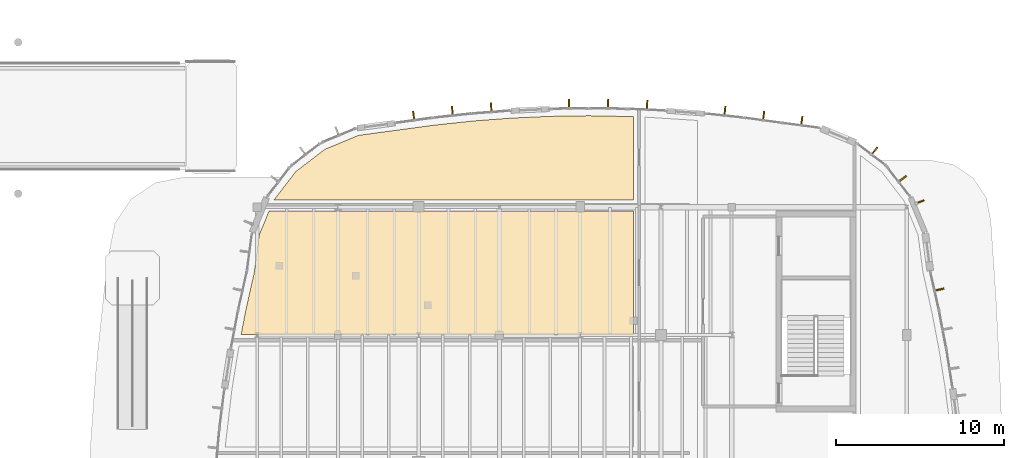
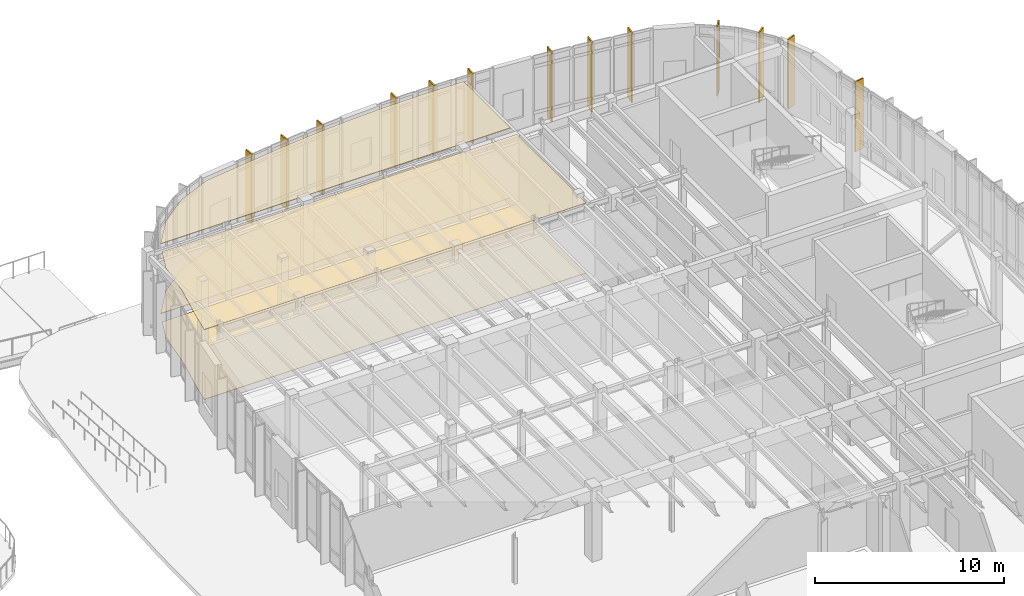
# One storey, part 118 of 120: 17 coverings, 1 shading device.
"""IFC4 building model written with IfcOpenShell, lengths in metres."""

from ifc_helpers import new_model, si_unit, direction, frame, origin, origin_2d, place, context, subcontext, project, spatial, polyline, rectangle, outline, extrude, material, layer, layer_set, type_object, element, save


model = new_model("IFC4")

# Units and contexts
model_context = context("Model", 3, precision=1e-05, world=origin(), true_north=direction((0.0, 1.0)))
body_context = subcontext(model_context, "Body", "Model", "MODEL_VIEW")
ifc_project = project(units=[si_unit("LENGTHUNIT", "METRE"), si_unit("AREAUNIT", "SQUARE_METRE"), si_unit("VOLUMEUNIT", "CUBIC_METRE"), si_unit("PLANEANGLEUNIT", "RADIAN"), si_unit("MASSUNIT", "GRAM", prefix="KILO")], contexts=[model_context])

# Site, building, storey
site_placement = place(None, origin())
site = spatial("IfcSite", under=ifc_project, at=site_placement, CompositionType="ELEMENT")
building_placement = place(site_placement, origin())
building = spatial("IfcBuilding", under=site, at=building_placement, Name="Corveleigh Park Community Centre", CompositionType="ELEMENT")
storey_placement = place(building_placement, origin())
storey = spatial("IfcBuildingStorey", under=building, at=storey_placement, Name="L00", CompositionType="ELEMENT", Elevation=0.0)

# Coverings
ifc_material_1 = material(Name="Warm buff ribbed architectural cladding", Category="masonry")
ifc_layer_1 = layer(ifc_material_1, 0.0849609375, Name="Warm buff ribbed architectural cladding", Category="masonry")
ifc_layer_set_1 = layer_set([ifc_layer_1], Name="Warm buff ribbed architectural cladding")
covering_type_1 = type_object("IfcCoveringType", Name="COV-CLD-BUF", PredefinedType="CLADDING", material=ifc_layer_set_1)
covering_1_placement = place(storey_placement, origin())
element("IfcCovering", 1, at=covering_1_placement, inside=storey, type_object=covering_type_1, Name="V4 L00 Brise-soleil blade 124", PredefinedType="CLADDING", context=body_context, shape_type="SweptSolid", body=[
    extrude(outline(polyline([(170.031005859375, 99.279052734375), (170.049072265625, 99.196044921875), (170.614990234375, 99.322998046875), (170.596923828125, 99.406005859375), (170.031005859375, 99.279052734375)])), origin(), (0.0, 0.0, 1.0), 4.511962890625),
])
covering_2_placement = place(storey_placement, origin())
element("IfcCovering", 2, at=covering_2_placement, inside=storey, type_object=covering_type_1, Name="V4 L00 Brise-soleil blade 125", PredefinedType="CLADDING", context=body_context, shape_type="SweptSolid", body=[
    extrude(outline(polyline([(168.9140625, 104.445068359375), (168.946044921875, 104.366943359375), (169.44091796875, 104.572021484375), (169.407958984375, 104.64990234375), (168.9140625, 104.445068359375)])), origin(), (0.0, 0.0, 1.0), 4.511962890625),
])
covering_3_placement = place(storey_placement, origin())
element("IfcCovering", 3, at=covering_3_placement, inside=storey, type_object=covering_type_1, Name="V4 L00 Brise-soleil blade 126", PredefinedType="CLADDING", context=body_context, shape_type="SweptSolid", body=[
    extrude(outline(polyline([(167.8798828125, 105.73291015625), (167.931884765625, 105.666015625), (168.39208984375, 106.01904296875), (168.340087890625, 106.0859375), (167.8798828125, 105.73291015625)])), origin(), (0.0, 0.0, 1.0), 4.511962890625),
])
covering_4_placement = place(storey_placement, origin())
element("IfcCovering", 4, at=covering_4_placement, inside=storey, type_object=covering_type_1, Name="V4 L00 Brise-soleil blade 127", PredefinedType="CLADDING", context=body_context, shape_type="SweptSolid", body=[
    extrude(outline(polyline([(166.26611328125, 107.33203125), (166.3330078125, 107.280029296875), (166.68603515625, 107.739990234375), (166.618896484375, 107.7919921875), (166.26611328125, 107.33203125)])), origin(), (0.0, 0.0, 1.0), 4.511962890625),
])
covering_5_placement = place(storey_placement, origin())
element("IfcCovering", 5, at=covering_5_placement, inside=storey, type_object=covering_type_1, Name="V4 L00 Brise-soleil blade 128", PredefinedType="CLADDING", context=body_context, shape_type="SweptSolid", body=[
    extrude(outline(polyline([(162.08203125, 109.037109375), (162.166015625, 109.02587890625), (162.241943359375, 109.60107421875), (162.157958984375, 109.612060546875), (162.08203125, 109.037109375)])), origin(), (0.0, 0.0, 1.0), 4.511962890625),
])
covering_6_placement = place(storey_placement, origin())
element("IfcCovering", 6, at=covering_6_placement, inside=storey, type_object=covering_type_1, Name="V4 L00 Brise-soleil blade 129", PredefinedType="CLADDING", context=body_context, shape_type="SweptSolid", body=[
    extrude(outline(polyline([(159.81298828125, 109.343017578125), (159.89697265625, 109.33203125), (159.97607421875, 109.906982421875), (159.89208984375, 109.91796875), (159.81298828125, 109.343017578125)])), origin(), (0.0, 0.0, 1.0), 4.511962890625),
])
covering_7_placement = place(storey_placement, origin())
element("IfcCovering", 7, at=covering_7_placement, inside=storey, type_object=covering_type_1, Name="V4 L00 Brise-soleil blade 130", PredefinedType="CLADDING", context=body_context, shape_type="SweptSolid", body=[
    extrude(outline(polyline([(157.52099609375, 109.6220703125), (157.60498046875, 109.613037109375), (157.6669921875, 110.18994140625), (157.58203125, 110.198974609375), (157.52099609375, 109.6220703125)])), origin(), (0.0, 0.0, 1.0), 4.511962890625),
])
covering_8_placement = place(storey_placement, origin())
element("IfcCovering", 8, at=covering_8_placement, inside=storey, type_object=covering_type_1, Name="V4 L00 Brise-soleil blade 131", PredefinedType="CLADDING", context=body_context, shape_type="SweptSolid", body=[
    extrude(outline(polyline([(152.9189453125, 109.968994140625), (153.00390625, 109.966064453125), (153.030029296875, 110.544921875), (152.945068359375, 110.549072265625), (152.9189453125, 109.968994140625)])), origin(), (0.0, 0.0, 1.0), 4.511962890625),
])
covering_9_placement = place(storey_placement, origin())
element("IfcCovering", 9, at=covering_9_placement, inside=storey, type_object=covering_type_1, Name="V4 L00 Brise-soleil blade 132", PredefinedType="CLADDING", context=body_context, shape_type="SweptSolid", body=[
    extrude(outline(polyline([(150.612060546875, 110.0390625), (150.697021484375, 110.037109375), (150.7060546875, 110.616943359375), (150.62109375, 110.618896484375), (150.612060546875, 110.0390625)])), origin(), (0.0, 0.0, 1.0), 4.511962890625),
])
covering_10_placement = place(storey_placement, origin())
element("IfcCovering", 10, at=covering_10_placement, inside=storey, type_object=covering_type_1, Name="V4 L00 Brise-soleil blade 133", PredefinedType="CLADDING", context=body_context, shape_type="SweptSolid", body=[
    extrude(outline(polyline([(148.302978515625, 110.037109375), (148.387939453125, 110.0390625), (148.37890625, 110.618896484375), (148.2939453125, 110.616943359375), (148.302978515625, 110.037109375)])), origin(), (0.0, 0.0, 1.0), 4.511962890625),
])
covering_11_placement = place(storey_placement, origin())
element("IfcCovering", 11, at=covering_11_placement, inside=storey, type_object=covering_type_1, Name="V4 L00 Brise-soleil blade 134", PredefinedType="CLADDING", context=body_context, shape_type="SweptSolid", body=[
    extrude(outline(polyline([(143.693115234375, 109.823974609375), (143.778076171875, 109.8310546875), (143.73388671875, 110.408935546875), (143.64892578125, 110.403076171875), (143.693115234375, 109.823974609375)])), origin(), (0.0, 0.0, 1.0), 4.511962890625),
])
covering_12_placement = place(storey_placement, origin())
element("IfcCovering", 12, at=covering_12_placement, inside=storey, type_object=covering_type_1, Name="V4 L00 Brise-soleil blade 135", PredefinedType="CLADDING", context=body_context, shape_type="SweptSolid", body=[
    extrude(outline(polyline([(141.39501953125, 109.613037109375), (141.47900390625, 109.6220703125), (141.41796875, 110.198974609375), (141.3330078125, 110.18994140625), (141.39501953125, 109.613037109375)])), origin(), (0.0, 0.0, 1.0), 4.511962890625),
])
covering_13_placement = place(storey_placement, origin())
element("IfcCovering", 13, at=covering_13_placement, inside=storey, type_object=covering_type_1, Name="V4 L00 Brise-soleil blade 136", PredefinedType="CLADDING", context=body_context, shape_type="SweptSolid", body=[
    extrude(outline(polyline([(139.10302734375, 109.33203125), (139.18701171875, 109.343017578125), (139.10791015625, 109.91796875), (139.02392578125, 109.906982421875), (139.10302734375, 109.33203125)])), origin(), (0.0, 0.0, 1.0), 4.537109375),
])
ifc_material_2 = material(Name="Perforated acoustic suspended ceiling", Category="gypsum")
ifc_layer_2 = layer(ifc_material_2, 0.0400390625, Name="Perforated acoustic suspended ceiling", Category="gypsum")
ifc_layer_set_2 = layer_set([ifc_layer_2], Name="Perforated acoustic suspended ceiling")
covering_type_2 = type_object("IfcCoveringType", Name="COV-CLG-ACU", PredefinedType="CEILING", material=ifc_layer_set_2)
covering_14_placement = place(storey_placement, frame((0.0, 0.0, 4.4951171875)))
element("IfcCovering", 14, at=covering_14_placement, inside=storey, type_object=covering_type_2, Name="Centre Management Reception acoustic ceiling", PredefinedType="CEILING", context=body_context, shape_type="SweptSolid", body=[
    extrude(outline(polyline([(129.62890625, 100.303955078125), (129.928955078125, 102.56298828125), (130.507080078125, 103.9599609375), (152.159912109375, 103.9599609375), (152.159912109375, 96.639892578125), (128.85302734375, 96.639892578125), (129.113037109375, 98.0), (129.62890625, 100.303955078125)])), origin(), (0.0, 0.0, 1.0), 0.039794921875),
])
covering_15_placement = place(storey_placement, frame((0.0, 0.0, 4.4951171875)))
element("IfcCovering", 15, at=covering_15_placement, inside=storey, type_object=covering_type_2, Name="Accessible and Public Toilets L00 acoustic ceiling", PredefinedType="CEILING", context=body_context, shape_type="SweptSolid", body=[
    extrude(outline(polyline([(149.5, 109.635986328125), (152.159912109375, 109.583984375), (152.159912109375, 104.639892578125), (130.81103515625, 104.639892578125), (132.091064453125, 106.30908203125), (133.822021484375, 107.636962890625), (135.8369140625, 108.470947265625), (140.340087890625, 109.077880859375), (142.623046875, 109.322021484375), (144.912109375, 109.49609375), (147.2041015625, 109.60009765625), (149.5, 109.635986328125)])), origin(), (0.0, 0.0, 1.0), 0.039794921875),
])
ifc_material_3 = material(Name="Acoustic linoleum flooring", Category="wood")
ifc_layer_3 = layer(ifc_material_3, 0.02490234375, Name="Acoustic linoleum flooring", Category="wood")
ifc_layer_set_3 = layer_set([ifc_layer_3], Name="Acoustic linoleum flooring")
covering_type_3 = type_object("IfcCoveringType", Name="COV-FLR-LIN", PredefinedType="FLOORING", material=ifc_layer_set_3)
covering_16_placement = place(storey_placement, origin())
element("IfcCovering", 16, at=covering_16_placement, inside=storey, type_object=covering_type_3, Name="Centre Management Reception flooring", PredefinedType="FLOORING", context=body_context, shape_type="SweptSolid", body=[
    extrude(outline(polyline([(129.62890625, 100.303955078125), (129.928955078125, 102.56298828125), (130.507080078125, 103.9599609375), (152.159912109375, 103.9599609375), (152.159912109375, 96.639892578125), (128.85302734375, 96.639892578125), (129.113037109375, 98.0), (129.62890625, 100.303955078125)])), origin(), (0.0, 0.0, 1.0), 0.02490234375),
])
covering_17_placement = place(storey_placement, origin())
element("IfcCovering", 17, at=covering_17_placement, inside=storey, type_object=covering_type_3, Name="Accessible and Public Toilets L00 flooring", PredefinedType="FLOORING", context=body_context, shape_type="SweptSolid", body=[
    extrude(outline(polyline([(149.5, 109.635986328125), (152.159912109375, 109.583984375), (152.159912109375, 104.639892578125), (130.81103515625, 104.639892578125), (132.091064453125, 106.30908203125), (133.822021484375, 107.636962890625), (135.8369140625, 108.470947265625), (140.340087890625, 109.077880859375), (142.623046875, 109.322021484375), (144.912109375, 109.49609375), (147.2041015625, 109.60009765625), (149.5, 109.635986328125)])), origin(), (0.0, 0.0, 1.0), 0.02490234375),
])

# Shading device
ifc_material_4 = material(Name="Terracotta-anodised aluminium fin", Category="masonry")
shading_device_type = type_object("IfcShadingDeviceType", Name="SHD-FIN-TER-450", PredefinedType="USERDEFINED", material=ifc_material_4)
shading_device_placement = place(storey_placement, frame((169.10595703125, 104.47900390625, 0.25), z_axis=(0.0, 0.0, 1.0), x_axis=(0.923738247695, 0.383024346152, 0.0)))
element("IfcShadingDevice", 18, at=shading_device_placement, inside=storey, type_object=shading_device_type, Name="Terracotta brise-soleil fin 24", ObjectType="FIN", PredefinedType="USERDEFINED", context=body_context, shape_type="SweptSolid", body=[
    extrude(rectangle(XDim=0.449951171875, YDim=0.06494140625, at=origin_2d()), origin(), (0.0, 0.0, 1.0), 4.112060546875),
])

save(model, "model.ifc")
